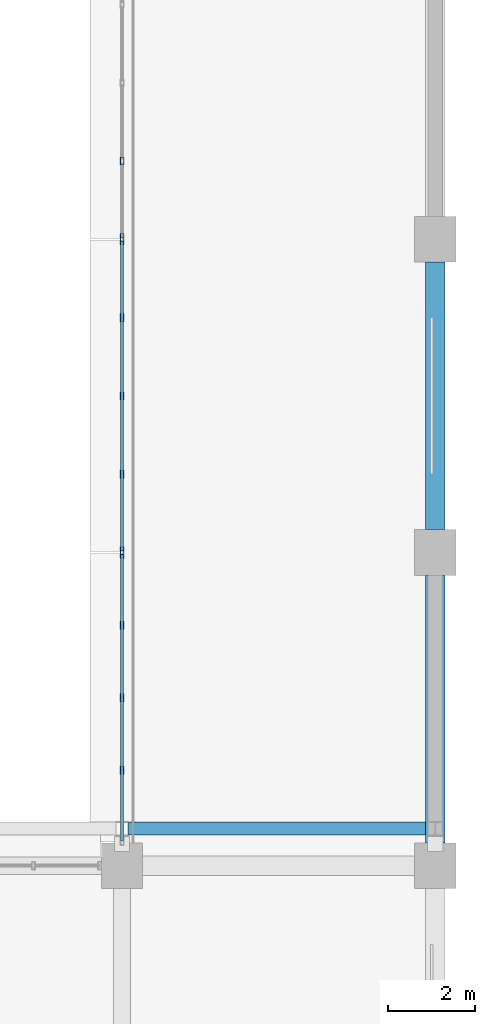
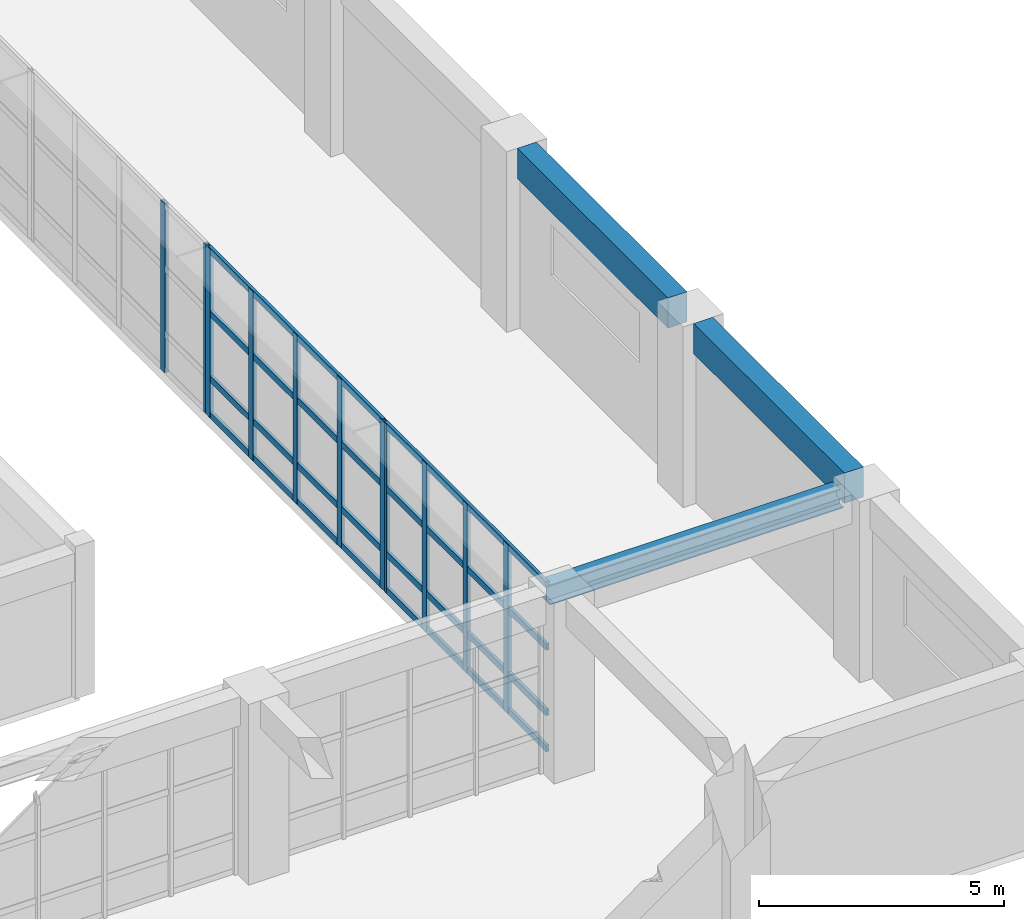
# One storey, part 92 of 171: 19 members, 3 beams, 3 elements without a shape of their own.
"""IFC4 building model written with IfcOpenShell, lengths in metres."""

from ifc_helpers import new_model, si_unit, direction, frame, origin, origin_2d, place, context, subcontext, project, spatial, rectangle, hollow_rectangle, i_section, extrude, material, material_profile, profile_set, type_object, element, aggregate, save


model = new_model("IFC4")

# Units and contexts
model_context = context("Model", 3, precision=1e-05, world=origin(), true_north=direction((0.0, 1.0)))
body_context = subcontext(model_context, "Body", "Model", "MODEL_VIEW")
ifc_project = project(units=[si_unit("LENGTHUNIT", "METRE"), si_unit("AREAUNIT", "SQUARE_METRE"), si_unit("VOLUMEUNIT", "CUBIC_METRE"), si_unit("PLANEANGLEUNIT", "RADIAN"), si_unit("MASSUNIT", "GRAM", prefix="KILO")], contexts=[model_context])

# Site, building, storey
site_placement = place(None, origin())
site = spatial("IfcSite", under=ifc_project, at=site_placement, CompositionType="ELEMENT")
building_placement = place(site_placement, origin())
building = spatial("IfcBuilding", under=site, at=building_placement, Name="Thalmaran Polytechnic", CompositionType="ELEMENT")
storey_placement = place(building_placement, frame((0.0, 0.0, 5.39990234375)))
storey = spatial("IfcBuildingStorey", under=building, at=storey_placement, Name="L01", CompositionType="ELEMENT", Elevation=5.39990234375)

# Beams
ifc_material_1 = material(Name="Steel S355", Category="steel")
ifc_material_profile_1 = material_profile(ifc_material_1, i_section(OverallWidth=0.300048828125, OverallDepth=0.5, WebThickness=0.014404296875, FlangeThickness=0.028076171875, at=origin_2d()), Name="HEB 500")
ifc_profile_set_1 = profile_set([ifc_material_profile_1], Name="Steel S355")
beam_type_1 = type_object("IfcBeamType", Name="BM-CRN2", PredefinedType="BEAM", material=ifc_profile_set_1)
beam_placement = place(storey_placement, frame((165.739990234375, 8.050048828125, 3.75), z_axis=(1.0, 0.0, 0.0), x_axis=(0.0, 1.0, 0.0)))
element("IfcBeam", 1, at=beam_placement, inside=storey, type_object=beam_type_1, Name="Workshop Crane Runway Beam Y1-23", PredefinedType="BEAM", context=body_context, shape_type="SweptSolid", body=[
    extrude(i_section(OverallWidth=0.300048828125, OverallDepth=0.5, WebThickness=0.014404296875, FlangeThickness=0.028076171875, at=origin_2d()), origin(), (0.0, 0.0, 1.0), 6.919921875),
])
ifc_material_2 = material(Name="Concrete C40/50", Category="concrete")
ifc_material_profile_2 = material_profile(ifc_material_2, rectangle(XDim=0.449951171875, YDim=0.7548828125, at=origin_2d()), Name="RC 450x755")
ifc_profile_set_2 = profile_set([ifc_material_profile_2], Name="Concrete C40/50")
beam_type_2 = type_object("IfcBeamType", Name="BM-SP02", PredefinedType="SPANDREL", material=ifc_profile_set_2)
for number, where, z_axis, x_axis, name in (
    (2, (172.800048828125, 7.72509765625, 4.12255859375), (0.0, 1.0, 0.0), (-1.0, 0.0, 0.0), "Grid Beam SP02 L01 Y(24,1)"),
    (3, (172.800048828125, 14.925048828125, 4.12255859375), (0.0, 1.0, 0.0), (-1.0, 0.0, 0.0), "Grid Beam SP02 L01 Y(24,2)"),
):
    element("IfcBeam", number, at=place(storey_placement, frame(where, z_axis=z_axis, x_axis=x_axis)), inside=storey, type_object=beam_type_2, Name=name, PredefinedType="SPANDREL", context=body_context, shape_type="SweptSolid", body=[
        extrude(rectangle(XDim=0.449951171875, YDim=0.7548828125, at=origin_2d()), origin(), (0.0, 0.0, 1.0), 6.14990234375),
    ])

# Curtain wall, members
ifc_material_3 = material(Name="Aluminium 6063-T6", Category="aluminium")
curtain_wall_type = type_object("IfcCurtainWallType", Name="CW-UC02", PredefinedType="USERDEFINED", material=ifc_material_3)
curtain_wall_1_placement = place(storey_placement, origin())
curtain_wall_1 = element("IfcCurtainWall", 4, at=curtain_wall_1_placement, inside=storey, type_object=curtain_wall_type, Name="Curtain Wall CW-L01-118", ObjectType="UNITISED CURTAIN WALL", PredefinedType="USERDEFINED")
ifc_material_profile_3 = material_profile(ifc_material_3, hollow_rectangle(XDim=0.080078125, YDim=0.179931640625, WallThickness=0.0048828125, at=origin_2d()), Name="RHS 180x80x5.0")
ifc_profile_set_3 = profile_set([ifc_material_profile_3], Name="Aluminium 6063-T6")
member_type_1 = type_object("IfcMemberType", Name="CW-MUL1", PredefinedType="MULLION", material=ifc_profile_set_3)
member_1_placement = place(storey_placement, frame((165.60009765625, 9.393798828125, 0.0), z_axis=(0.0, 0.0, 1.0), x_axis=(1.0, 0.0, 0.0)))
member_1 = element("IfcMember", 5, at=member_1_placement, type_object=member_type_1, Name="CW-L01-118 Mullion 2", PredefinedType="MULLION", context=body_context, shape_type="SweptSolid", body=[
    extrude(hollow_rectangle(XDim=0.080078125, YDim=0.179931640625, WallThickness=0.0048828125, at=origin_2d()), origin(), (0.0, 0.0, 1.0), 4.210205078125),
])
member_2_placement = place(storey_placement, frame((165.60009765625, 11.0625, 0.0), z_axis=(0.0, 0.0, 1.0), x_axis=(1.0, 0.0, 0.0)))
member_2 = element("IfcMember", 6, at=member_2_placement, type_object=member_type_1, Name="CW-L01-118 Mullion 3", PredefinedType="MULLION", context=body_context, shape_type="SweptSolid", body=[
    extrude(hollow_rectangle(XDim=0.080078125, YDim=0.179931640625, WallThickness=0.0048828125, at=origin_2d()), origin(), (0.0, 0.0, 1.0), 4.210205078125),
])
member_3_placement = place(storey_placement, frame((165.60009765625, 12.731201171875, 0.0), z_axis=(0.0, 0.0, 1.0), x_axis=(1.0, 0.0, 0.0)))
member_3 = element("IfcMember", 7, at=member_3_placement, type_object=member_type_1, Name="CW-L01-118 Mullion 4", PredefinedType="MULLION", context=body_context, shape_type="SweptSolid", body=[
    extrude(hollow_rectangle(XDim=0.080078125, YDim=0.179931640625, WallThickness=0.0048828125, at=origin_2d()), origin(), (0.0, 0.0, 1.0), 4.210205078125),
])
member_4_placement = place(storey_placement, frame((165.60009765625, 14.360107421875, 0.0), z_axis=(0.0, 0.0, 1.0), x_axis=(1.0, 0.0, 0.0)))
member_4 = element("IfcMember", 8, at=member_4_placement, type_object=member_type_1, Name="CW-L01-118 Mullion 5", PredefinedType="MULLION", context=body_context, shape_type="SweptSolid", body=[
    extrude(hollow_rectangle(XDim=0.080078125, YDim=0.179931640625, WallThickness=0.0048828125, at=origin_2d()), origin(), (0.0, 0.0, 1.0), 4.210205078125),
])

curtain_wall_2_placement = place(storey_placement, origin())
curtain_wall_2 = element("IfcCurtainWall", 9, at=curtain_wall_2_placement, inside=storey, type_object=curtain_wall_type, Name="Curtain Wall CW-L01-119", ObjectType="UNITISED CURTAIN WALL", PredefinedType="USERDEFINED")
member_5_placement = place(storey_placement, frame((165.60009765625, 14.43994140625, 0.0), z_axis=(0.0, 0.0, 1.0), x_axis=(1.0, 0.0, 0.0)))
member_5 = element("IfcMember", 10, at=member_5_placement, type_object=member_type_1, Name="CW-L01-119 Mullion 1", PredefinedType="MULLION", context=body_context, shape_type="SweptSolid", body=[
    extrude(hollow_rectangle(XDim=0.080078125, YDim=0.179931640625, WallThickness=0.0048828125, at=origin_2d()), origin(), (0.0, 0.0, 1.0), 4.210205078125),
])
member_6_placement = place(storey_placement, frame((165.60009765625, 16.199951171875, 0.0), z_axis=(0.0, 0.0, 1.0), x_axis=(1.0, 0.0, 0.0)))
member_6 = element("IfcMember", 11, at=member_6_placement, type_object=member_type_1, Name="CW-L01-119 Mullion 2", PredefinedType="MULLION", context=body_context, shape_type="SweptSolid", body=[
    extrude(hollow_rectangle(XDim=0.080078125, YDim=0.179931640625, WallThickness=0.0048828125, at=origin_2d()), origin(), (0.0, 0.0, 1.0), 4.210205078125),
])
member_7_placement = place(storey_placement, frame((165.60009765625, 18.0, 0.0), z_axis=(0.0, 0.0, 1.0), x_axis=(1.0, 0.0, 0.0)))
member_7 = element("IfcMember", 12, at=member_7_placement, type_object=member_type_1, Name="CW-L01-119 Mullion 3", PredefinedType="MULLION", context=body_context, shape_type="SweptSolid", body=[
    extrude(hollow_rectangle(XDim=0.080078125, YDim=0.179931640625, WallThickness=0.0048828125, at=origin_2d()), origin(), (0.0, 0.0, 1.0), 4.210205078125),
])
member_8_placement = place(storey_placement, frame((165.60009765625, 19.800048828125, 0.0), z_axis=(0.0, 0.0, 1.0), x_axis=(1.0, 0.0, 0.0)))
member_8 = element("IfcMember", 13, at=member_8_placement, type_object=member_type_1, Name="CW-L01-119 Mullion 4", PredefinedType="MULLION", context=body_context, shape_type="SweptSolid", body=[
    extrude(hollow_rectangle(XDim=0.080078125, YDim=0.179931640625, WallThickness=0.0048828125, at=origin_2d()), origin(), (0.0, 0.0, 1.0), 4.210205078125),
])
member_9_placement = place(storey_placement, frame((165.60009765625, 21.56005859375, 0.0), z_axis=(0.0, 0.0, 1.0), x_axis=(1.0, 0.0, 0.0)))
member_9 = element("IfcMember", 14, at=member_9_placement, type_object=member_type_1, Name="CW-L01-119 Mullion 5", PredefinedType="MULLION", context=body_context, shape_type="SweptSolid", body=[
    extrude(hollow_rectangle(XDim=0.080078125, YDim=0.179931640625, WallThickness=0.0048828125, at=origin_2d()), origin(), (0.0, 0.0, 1.0), 4.210205078125),
])

curtain_wall_3_placement = place(storey_placement, origin())
curtain_wall_3 = element("IfcCurtainWall", 15, at=curtain_wall_3_placement, inside=storey, type_object=curtain_wall_type, Name="Curtain Wall CW-L01-120", ObjectType="UNITISED CURTAIN WALL", PredefinedType="USERDEFINED")
member_10_placement = place(storey_placement, frame((165.60009765625, 21.639892578125, 0.0), z_axis=(0.0, 0.0, 1.0), x_axis=(1.0, 0.0, 0.0)))
member_10 = element("IfcMember", 16, at=member_10_placement, type_object=member_type_1, Name="CW-L01-120 Mullion 1", PredefinedType="MULLION", context=body_context, shape_type="SweptSolid", body=[
    extrude(hollow_rectangle(XDim=0.080078125, YDim=0.179931640625, WallThickness=0.0048828125, at=origin_2d()), origin(), (0.0, 0.0, 1.0), 4.210205078125),
])
member_11_placement = place(storey_placement, frame((165.60009765625, 23.39990234375, 0.0), z_axis=(0.0, 0.0, 1.0), x_axis=(1.0, 0.0, 0.0)))
member_11 = element("IfcMember", 17, at=member_11_placement, type_object=member_type_1, Name="CW-L01-120 Mullion 2", PredefinedType="MULLION", context=body_context, shape_type="SweptSolid", body=[
    extrude(hollow_rectangle(XDim=0.080078125, YDim=0.179931640625, WallThickness=0.0048828125, at=origin_2d()), origin(), (0.0, 0.0, 1.0), 4.210205078125),
])
aggregate(curtain_wall_3, [member_10, member_11])

# Member
ifc_material_profile_4 = material_profile(ifc_material_3, hollow_rectangle(XDim=0.070068359375, YDim=0.159912109375, WallThickness=0.00390625, at=origin_2d()), Name="AL 160x70x4.0")
ifc_profile_set_4 = profile_set([ifc_material_profile_4], Name="Aluminium 6063-T6")
member_type_2 = type_object("IfcMemberType", Name="CW-TRN1", PredefinedType="USERDEFINED", material=ifc_profile_set_4)
member_12_placement = place(storey_placement, frame((165.60009765625, 7.764892578125, 0.06005859375), z_axis=(0.0, 1.0, 0.0), x_axis=(-1.0, 0.0, 0.0)))
member_12 = element("IfcMember", 18, at=member_12_placement, type_object=member_type_2, Name="CW-L01-118 Transom 1", ObjectType="TRANSOM", PredefinedType="USERDEFINED", context=body_context, shape_type="SweptSolid", body=[
    extrude(hollow_rectangle(XDim=0.070068359375, YDim=0.159912109375, WallThickness=0.00390625, at=origin_2d()), origin(), (0.0, 0.0, 1.0), 6.59521484375),
])

member_13_placement = place(storey_placement, frame((165.60009765625, 7.764892578125, 0.960205078125), z_axis=(0.0, 1.0, 0.0), x_axis=(-1.0, 0.0, 0.0)))
member_13 = element("IfcMember", 19, at=member_13_placement, type_object=member_type_2, Name="CW-L01-118 Transom 2", ObjectType="TRANSOM", PredefinedType="USERDEFINED", context=body_context, shape_type="SweptSolid", body=[
    extrude(hollow_rectangle(XDim=0.070068359375, YDim=0.159912109375, WallThickness=0.00390625, at=origin_2d()), origin(), (0.0, 0.0, 1.0), 6.59521484375),
])

member_14_placement = place(storey_placement, frame((165.60009765625, 7.764892578125, 2.585205078125), z_axis=(0.0, 1.0, 0.0), x_axis=(-1.0, 0.0, 0.0)))
member_14 = element("IfcMember", 20, at=member_14_placement, type_object=member_type_2, Name="CW-L01-118 Transom 3", ObjectType="TRANSOM", PredefinedType="USERDEFINED", context=body_context, shape_type="SweptSolid", body=[
    extrude(hollow_rectangle(XDim=0.070068359375, YDim=0.159912109375, WallThickness=0.00390625, at=origin_2d()), origin(), (0.0, 0.0, 1.0), 6.59521484375),
])

member_15_placement = place(storey_placement, frame((165.60009765625, 7.764892578125, 4.150146484375), z_axis=(0.0, 1.0, 0.0), x_axis=(-1.0, 0.0, 0.0)))
member_15 = element("IfcMember", 21, at=member_15_placement, type_object=member_type_2, Name="CW-L01-118 Transom 4", ObjectType="TRANSOM", PredefinedType="USERDEFINED", context=body_context, shape_type="SweptSolid", body=[
    extrude(hollow_rectangle(XDim=0.070068359375, YDim=0.159912109375, WallThickness=0.00390625, at=origin_2d()), origin(), (0.0, 0.0, 1.0), 6.59521484375),
])

aggregate(curtain_wall_1, [member_1, member_2, member_3, member_4, member_12, member_13, member_14, member_15])

member_16_placement = place(storey_placement, frame((165.60009765625, 14.43994140625, 0.06005859375), z_axis=(0.0, 1.0, 0.0), x_axis=(-1.0, 0.0, 0.0)))
member_16 = element("IfcMember", 22, at=member_16_placement, type_object=member_type_2, Name="CW-L01-119 Transom 1", ObjectType="TRANSOM", PredefinedType="USERDEFINED", context=body_context, shape_type="SweptSolid", body=[
    extrude(hollow_rectangle(XDim=0.070068359375, YDim=0.159912109375, WallThickness=0.00390625, at=origin_2d()), origin(), (0.0, 0.0, 1.0), 7.1201171875),
])

member_17_placement = place(storey_placement, frame((165.60009765625, 14.43994140625, 0.960205078125), z_axis=(0.0, 1.0, 0.0), x_axis=(-1.0, 0.0, 0.0)))
member_17 = element("IfcMember", 23, at=member_17_placement, type_object=member_type_2, Name="CW-L01-119 Transom 2", ObjectType="TRANSOM", PredefinedType="USERDEFINED", context=body_context, shape_type="SweptSolid", body=[
    extrude(hollow_rectangle(XDim=0.070068359375, YDim=0.159912109375, WallThickness=0.00390625, at=origin_2d()), origin(), (0.0, 0.0, 1.0), 7.1201171875),
])

member_18_placement = place(storey_placement, frame((165.60009765625, 14.43994140625, 2.585205078125), z_axis=(0.0, 1.0, 0.0), x_axis=(-1.0, 0.0, 0.0)))
member_18 = element("IfcMember", 24, at=member_18_placement, type_object=member_type_2, Name="CW-L01-119 Transom 3", ObjectType="TRANSOM", PredefinedType="USERDEFINED", context=body_context, shape_type="SweptSolid", body=[
    extrude(hollow_rectangle(XDim=0.070068359375, YDim=0.159912109375, WallThickness=0.00390625, at=origin_2d()), origin(), (0.0, 0.0, 1.0), 7.1201171875),
])

member_19_placement = place(storey_placement, frame((165.60009765625, 14.43994140625, 4.150146484375), z_axis=(0.0, 1.0, 0.0), x_axis=(-1.0, 0.0, 0.0)))
member_19 = element("IfcMember", 25, at=member_19_placement, type_object=member_type_2, Name="CW-L01-119 Transom 4", ObjectType="TRANSOM", PredefinedType="USERDEFINED", context=body_context, shape_type="SweptSolid", body=[
    extrude(hollow_rectangle(XDim=0.070068359375, YDim=0.159912109375, WallThickness=0.00390625, at=origin_2d()), origin(), (0.0, 0.0, 1.0), 7.1201171875),
])

aggregate(curtain_wall_2, [member_5, member_6, member_7, member_8, member_9, member_16, member_17, member_18, member_19])

save(model, "model.ifc")
